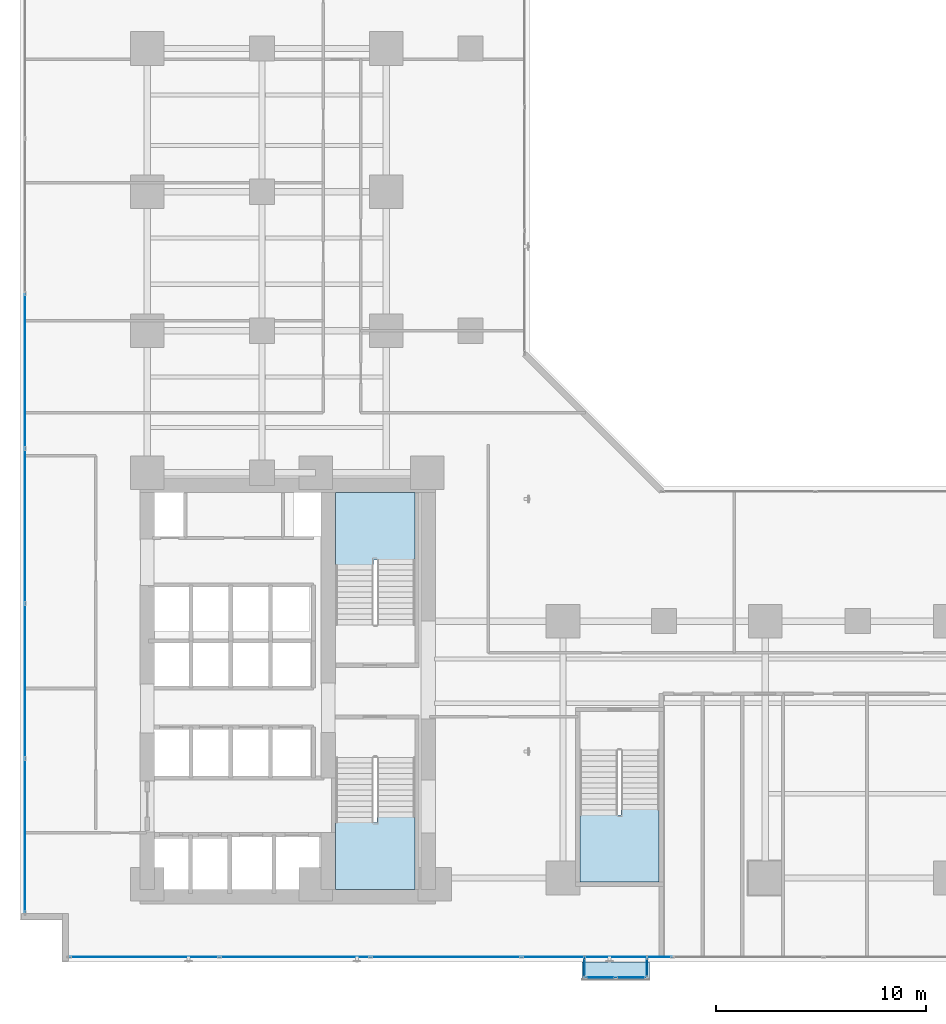
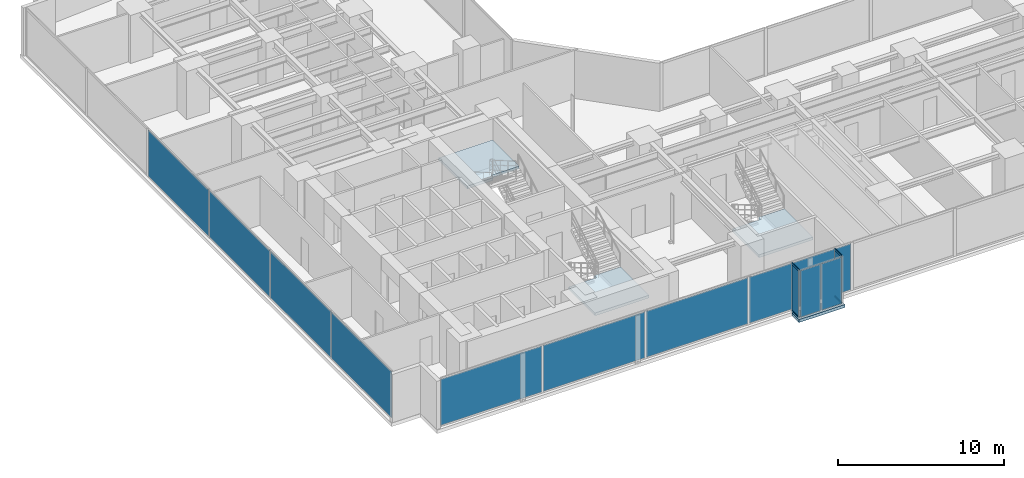
# One storey, part 20 of 27: 12 plates, 4 members, 4 slabs, 8 elements without a shape of their own.
"""IFC4 building model written with IfcOpenShell, lengths in metres."""

from ifc_helpers import new_model, si_unit, direction, frame, origin, origin_with_axes, origin_2d, place, context, subcontext, project, spatial, polyline, rectangle, hollow_rectangle, outline, extrude, source, transform, mapped, material, layer, layer_set, material_profile, profile_set, type_object, element, aggregate, save


model = new_model("IFC4")

# Units and contexts
model_context = context("Model", 3, precision=1e-05, world=origin(), true_north=direction((0.0, 1.0)))
body_context = subcontext(model_context, "Body", "Model", "MODEL_VIEW")
ifc_project = project(units=[si_unit("LENGTHUNIT", "METRE"), si_unit("AREAUNIT", "SQUARE_METRE"), si_unit("VOLUMEUNIT", "CUBIC_METRE"), si_unit("PLANEANGLEUNIT", "RADIAN"), si_unit("MASSUNIT", "GRAM", prefix="KILO")], contexts=[model_context])

# Site, building, storey
site_placement = place(None, origin())
site = spatial("IfcSite", under=ifc_project, at=site_placement, CompositionType="ELEMENT")
building_placement = place(site_placement, origin())
building = spatial("IfcBuilding", under=site, at=building_placement, Name="Kolvaren Waterfront Exchange", CompositionType="ELEMENT")
storey_placement = place(building_placement, frame((0.0, 0.0, 63.800048828125)))
storey = spatial("IfcBuildingStorey", under=building, at=storey_placement, Name="L16", CompositionType="ELEMENT", Elevation=63.800048828125)

# Curtain wall, members
ifc_material_1 = material(Name="Anodised bronze aluminium 6063-T6", Category="aluminium")
ifc_layer_1 = layer(ifc_material_1, 0.219970703125, Name="Anodised bronze aluminium 6063-T6")
ifc_layer_set_1 = layer_set([ifc_layer_1], Name="Anodised bronze aluminium 6063-T6")
curtain_wall_type_1 = type_object("IfcCurtainWallType", Name="ARC-CW-SYS3", PredefinedType="USERDEFINED", material=ifc_layer_set_1)
curtain_wall_1_placement = place(storey_placement, origin())
curtain_wall_1 = element("IfcCurtainWall", 1, at=curtain_wall_1_placement, inside=storey, type_object=curtain_wall_type_1, Name="L16 stick curtain wall CW3 (CW-L16-BOX-W)", ObjectType="STICK CURTAIN WALL", PredefinedType="USERDEFINED")
ifc_material_profile = material_profile(ifc_material_1, hollow_rectangle(XDim=0.06494140625, YDim=0.1298828125, WallThickness=0.00390625, at=origin_2d()), Name="ALU-TRN-130x65x4")
ifc_profile_set = profile_set([ifc_material_profile], Name="Anodised bronze aluminium 6063-T6")
member_type = type_object("IfcMemberType", Name="ARC-CWT-130", PredefinedType="USERDEFINED", material=ifc_profile_set)
shared_shape_1 = source(origin_with_axes(), body_context, "Body", "SweptSolid", [
    extrude(hollow_rectangle(XDim=0.06494140625, YDim=0.1298828125, WallThickness=0.00390625, at=origin_2d()), origin(), (0.0, 0.0, 1.0), 0.830078125),
])
member_1_placement = place(storey_placement, frame((28.2099609375, 1.364990234375, 0.032470703125), z_axis=(0.0, -1.0, 0.0), x_axis=(1.0, 0.0, 0.0)))
member_1 = element("IfcMember", 2, at=member_1_placement, type_object=member_type, Name="CW3 transom 1.1", ObjectType="TRANSOM", PredefinedType="USERDEFINED", context=body_context, shape_type="MappedRepresentation", body=[
    mapped(shared_shape_1, transform((0.0, 0.0, 0.0), x_axis=(1.0, 0.0, 0.0), y_axis=(0.0, 1.0, 0.0), z_axis=(0.0, 0.0, 1.0), scale=1.0)),
])
member_2_placement = place(storey_placement, frame((28.2099609375, 1.364990234375, 3.507568359375), z_axis=(0.0, -1.0, 0.0), x_axis=(1.0, 0.0, 0.0)))
member_2 = element("IfcMember", 3, at=member_2_placement, type_object=member_type, Name="CW3 transom 1.2", ObjectType="TRANSOM", PredefinedType="USERDEFINED", context=body_context, shape_type="MappedRepresentation", body=[
    mapped(shared_shape_1, transform((0.0, 0.0, 0.0), x_axis=(1.0, 0.0, 0.0), y_axis=(0.0, 1.0, 0.0), z_axis=(0.0, 0.0, 1.0), scale=1.0)),
])

curtain_wall_2_placement = place(storey_placement, origin())
curtain_wall_2 = element("IfcCurtainWall", 4, at=curtain_wall_2_placement, inside=storey, type_object=curtain_wall_type_1, Name="L16 stick curtain wall CW3 (CW-L16-BOX-E)", ObjectType="STICK CURTAIN WALL", PredefinedType="USERDEFINED")
member_3_placement = place(storey_placement, frame((31.18994140625, 0.534912109375, 0.032470703125), z_axis=(0.0, 1.0, 0.0), x_axis=(-1.0, 0.0, 0.0)))
member_3 = element("IfcMember", 5, at=member_3_placement, type_object=member_type, Name="CW3 transom 1.1", ObjectType="TRANSOM", PredefinedType="USERDEFINED", context=body_context, shape_type="MappedRepresentation", body=[
    mapped(shared_shape_1, transform((0.0, 0.0, 0.0), x_axis=(1.0, 0.0, 0.0), y_axis=(0.0, 1.0, 0.0), z_axis=(0.0, 0.0, 1.0), scale=1.0)),
])
member_4_placement = place(storey_placement, frame((31.18994140625, 0.534912109375, 3.507568359375), z_axis=(0.0, 1.0, 0.0), x_axis=(-1.0, 0.0, 0.0)))
member_4 = element("IfcMember", 6, at=member_4_placement, type_object=member_type, Name="CW3 transom 1.2", ObjectType="TRANSOM", PredefinedType="USERDEFINED", context=body_context, shape_type="MappedRepresentation", body=[
    mapped(shared_shape_1, transform((0.0, 0.0, 0.0), x_axis=(1.0, 0.0, 0.0), y_axis=(0.0, 1.0, 0.0), z_axis=(0.0, 0.0, 1.0), scale=1.0)),
])

# Stair, slab
ifc_material_2 = material(Name="Concrete C40/50", Category="concrete")
stair_type = type_object("IfcStairType", Name="ARC-STAIR-3800", PredefinedType="HALF_TURN_STAIR", material=ifc_material_2)
stair_1_placement = place(storey_placement, origin())
stair_1 = element("IfcStair", 7, at=stair_1_placement, inside=storey, type_object=stair_type, Name="L16 Smoke-proof exit stair ST1", PredefinedType="HALF_TURN_STAIR")
ifc_layer_2 = layer(ifc_material_2, 0.199951171875, Name="Concrete C40/50")
ifc_layer_set_2 = layer_set([ifc_layer_2], Name="Concrete C40/50")
slab_type_1 = type_object("IfcSlabType", Name="STR-LANDING-200", PredefinedType="LANDING", material=ifc_layer_set_2)
slab_1_placement = place(storey_placement, frame((0.0, 0.0, 1.77587890625)))
slab_1 = element("IfcSlab", 8, at=slab_1_placement, type_object=slab_type_1, Name="ST1 landing 1", PredefinedType="LANDING", context=body_context, shape_type="SweptSolid", body=[
    extrude(outline(polyline([(16.39990234375, 7.840087890625), (16.39990234375, 4.64990234375), (20.159912109375, 4.64990234375), (20.159912109375, 8.10009765625), (18.360107421875, 8.10009765625), (18.360107421875, 7.840087890625), (16.39990234375, 7.840087890625)])), origin(), (0.0, 0.0, 1.0), 0.199951171875),
])
aggregate(stair_1, [slab_1])

stair_2_placement = place(storey_placement, origin())
stair_2 = element("IfcStair", 9, at=stair_2_placement, inside=storey, type_object=stair_type, Name="L16 Smoke-proof exit stair ST2", PredefinedType="HALF_TURN_STAIR")
slab_2_placement = place(storey_placement, frame((0.0, 0.0, 1.77587890625)))
slab_2 = element("IfcSlab", 10, at=slab_2_placement, type_object=slab_type_1, Name="ST2 landing 1", PredefinedType="LANDING", context=body_context, shape_type="SweptSolid", body=[
    extrude(outline(polyline([(20.159912109375, 20.31005859375), (20.159912109375, 23.5), (16.39990234375, 23.5), (16.39990234375, 20.050048828125), (18.199951171875, 20.050048828125), (18.199951171875, 20.31005859375), (20.159912109375, 20.31005859375)])), origin(), (0.0, 0.0, 1.0), 0.199951171875),
])
aggregate(stair_2, [slab_2])

stair_3_placement = place(storey_placement, origin())
stair_3 = element("IfcStair", 11, at=stair_3_placement, inside=storey, type_object=stair_type, Name="L16 Exit stair ST3", PredefinedType="HALF_TURN_STAIR")
slab_3_placement = place(storey_placement, frame((0.0, 0.0, 1.77587890625)))
slab_3 = element("IfcSlab", 12, at=slab_3_placement, type_object=slab_type_1, Name="ST3 landing 1", PredefinedType="LANDING", context=body_context, shape_type="SweptSolid", body=[
    extrude(outline(polyline([(28.0, 8.18994140625), (28.0, 5.0), (31.760009765625, 5.0), (31.760009765625, 8.449951171875), (29.9599609375, 8.449951171875), (29.9599609375, 8.18994140625), (28.0, 8.18994140625)])), origin(), (0.0, 0.0, 1.0), 0.199951171875),
])
aggregate(stair_3, [slab_3])

# Slab
ifc_layer_3 = layer(ifc_material_2, 0.219970703125, Name="Concrete C40/50")
ifc_layer_set_3 = layer_set([ifc_layer_3], Name="Concrete C40/50")
slab_type_2 = type_object("IfcSlabType", Name="STR-TERR-220", PredefinedType="FLOOR", material=ifc_layer_set_3)
slab_4_placement = place(storey_placement, frame((0.0, 0.0, -0.219970703125)))
element("IfcSlab", 13, at=slab_4_placement, inside=storey, type_object=slab_type_2, Name="L16 projecting bay-box floor strip", PredefinedType="FLOOR", context=body_context, shape_type="SweptSolid", body=[
    extrude(outline(polyline([(28.10009765625, 0.35009765625), (31.300048828125, 0.35009765625), (31.300048828125, 1.199951171875), (28.10009765625, 1.199951171875), (28.10009765625, 0.35009765625)])), origin(), (0.0, 0.0, 1.0), 0.219970703125),
])

# Curtain wall, plates
ifc_layer_4 = layer(ifc_material_1, 0.219970703125, Name="Anodised bronze aluminium 6063-T6")
ifc_layer_set_4 = layer_set([ifc_layer_4], Name="Anodised bronze aluminium 6063-T6")
curtain_wall_type_2 = type_object("IfcCurtainWallType", Name="ARC-CW-SYS1", PredefinedType="USERDEFINED", material=ifc_layer_set_4)
curtain_wall_3_placement = place(storey_placement, origin())
curtain_wall_3 = element("IfcCurtainWall", 14, at=curtain_wall_3_placement, inside=storey, type_object=curtain_wall_type_2, Name="L16 stick curtain wall CW1 (CW-L16-S)", ObjectType="STICK CURTAIN WALL", PredefinedType="USERDEFINED")
ifc_material_3 = material(Name="Bronze solar control vision glass", Category="aluminium")
ifc_layer_5 = layer(ifc_material_3, 0.028076171875, Name="Bronze solar control vision glass")
ifc_layer_set_5 = layer_set([ifc_layer_5], Name="Bronze solar control vision glass")
plate_type_1 = type_object("IfcPlateType", Name="ARC-CWP-28", PredefinedType="CURTAIN_PANEL", material=ifc_layer_set_5)
shared_shape_2 = source(origin_with_axes(), body_context, "Body", "SweptSolid", [
    extrude(rectangle(XDim=7.054931640625, YDim=0.028076171875, at=origin_2d()), origin(), (0.0, 0.0, 1.0), 3.389892578125),
])
plate_1_placement = place(storey_placement, frame((7.3076171875, 1.43994140625, 0.0751953125), z_axis=(0.0, 0.0, 1.0), x_axis=(1.0, 0.0, 0.0)))
plate_1 = element("IfcPlate", 15, at=plate_1_placement, type_object=plate_type_1, Name="CW1 panel 1.1", PredefinedType="CURTAIN_PANEL", context=body_context, shape_type="MappedRepresentation", body=[
    mapped(shared_shape_2, transform((0.0, 0.0, 0.0), x_axis=(1.0, 0.0, 0.0), y_axis=(0.0, 1.0, 0.0), z_axis=(0.0, 0.0, 1.0), scale=1.0)),
])
shared_shape_3 = source(origin_with_axes(), body_context, "Body", "SweptSolid", [
    extrude(rectangle(XDim=7.094970703125, YDim=0.028076171875, at=origin_2d()), origin(), (0.0, 0.0, 1.0), 3.389892578125),
])
plate_2_placement = place(storey_placement, frame((14.46240234375, 1.43994140625, 0.0751953125), z_axis=(0.0, 0.0, 1.0), x_axis=(1.0, 0.0, 0.0)))
plate_2 = element("IfcPlate", 16, at=plate_2_placement, type_object=plate_type_1, Name="CW1 panel 2.1", PredefinedType="CURTAIN_PANEL", context=body_context, shape_type="MappedRepresentation", body=[
    mapped(shared_shape_3, transform((0.0, 0.0, 0.0), x_axis=(1.0, 0.0, 0.0), y_axis=(0.0, 1.0, 0.0), z_axis=(0.0, 0.0, 1.0), scale=1.0)),
])
plate_3_placement = place(storey_placement, frame((21.637451171875, 1.43994140625, 0.0751953125), z_axis=(0.0, 0.0, 1.0), x_axis=(1.0, 0.0, 0.0)))
plate_3 = element("IfcPlate", 17, at=plate_3_placement, type_object=plate_type_1, Name="CW1 panel 3.1", PredefinedType="CURTAIN_PANEL", context=body_context, shape_type="MappedRepresentation", body=[
    mapped(shared_shape_3, transform((0.0, 0.0, 0.0), x_axis=(1.0, 0.0, 0.0), y_axis=(0.0, 1.0, 0.0), z_axis=(0.0, 0.0, 1.0), scale=1.0)),
])
plate_4_placement = place(storey_placement, frame((28.8125, 1.43994140625, 0.0751953125), z_axis=(0.0, 0.0, 1.0), x_axis=(1.0, 0.0, 0.0)))
plate_4 = element("IfcPlate", 18, at=plate_4_placement, type_object=plate_type_1, Name="CW1 panel 4.1", PredefinedType="CURTAIN_PANEL", context=body_context, shape_type="MappedRepresentation", body=[
    mapped(shared_shape_3, transform((0.0, 0.0, 0.0), x_axis=(1.0, 0.0, 0.0), y_axis=(0.0, 1.0, 0.0), z_axis=(0.0, 0.0, 1.0), scale=1.0)),
])
aggregate(curtain_wall_3, [plate_1, plate_2, plate_3, plate_4])

ifc_material_4 = material(Name="Anodised aluminium 6063-T6", Category="aluminium")
ifc_layer_6 = layer(ifc_material_4, 0.219970703125, Name="Anodised aluminium 6063-T6")
ifc_layer_set_6 = layer_set([ifc_layer_6], Name="Anodised aluminium 6063-T6")
curtain_wall_type_3 = type_object("IfcCurtainWallType", Name="ARC-CW-SYS2", PredefinedType="USERDEFINED", material=ifc_layer_set_6)
curtain_wall_4_placement = place(storey_placement, origin())
curtain_wall_4 = element("IfcCurtainWall", 19, at=curtain_wall_4_placement, inside=storey, type_object=curtain_wall_type_3, Name="L16 stick curtain wall CW2 (CW-L16-W)", ObjectType="STICK CURTAIN WALL", PredefinedType="USERDEFINED")
ifc_material_5 = material(Name="Acoustic laminated vision glass", Category="glass")
ifc_layer_7 = layer(ifc_material_5, 0.031982421875, Name="Acoustic laminated vision glass")
ifc_layer_set_7 = layer_set([ifc_layer_7], Name="Acoustic laminated vision glass")
plate_type_2 = type_object("IfcPlateType", Name="ARC-CWP-32", PredefinedType="CURTAIN_PANEL", material=ifc_layer_set_7)
shared_shape_4 = source(origin_with_axes(), body_context, "Body", "SweptSolid", [
    extrude(rectangle(XDim=7.24658203125, YDim=0.031982421875, at=origin_2d()), origin(), (0.0, 0.0, 1.0), 3.389892578125),
])
plate_5_placement = place(storey_placement, frame((1.639892578125, 7.203369140625, 0.0751953125), z_axis=(0.0, 0.0, 1.0), x_axis=(0.0, 1.0, 0.0)))
plate_5 = element("IfcPlate", 20, at=plate_5_placement, type_object=plate_type_2, Name="CW2 panel 1.1", PredefinedType="CURTAIN_PANEL", context=body_context, shape_type="MappedRepresentation", body=[
    mapped(shared_shape_4, transform((0.0, 0.0, 0.0), x_axis=(1.0, 0.0, 0.0), y_axis=(0.0, 1.0, 0.0), z_axis=(0.0, 0.0, 1.0), scale=1.0)),
])
shared_shape_5 = source(origin_with_axes(), body_context, "Body", "SweptSolid", [
    extrude(rectangle(XDim=7.28662109375, YDim=0.031982421875, at=origin_2d()), origin(), (0.0, 0.0, 1.0), 3.389892578125),
])
plate_6_placement = place(storey_placement, frame((1.639892578125, 14.550048828125, 0.0751953125), z_axis=(0.0, 0.0, 1.0), x_axis=(0.0, 1.0, 0.0)))
plate_6 = element("IfcPlate", 21, at=plate_6_placement, type_object=plate_type_2, Name="CW2 panel 2.1", PredefinedType="CURTAIN_PANEL", context=body_context, shape_type="MappedRepresentation", body=[
    mapped(shared_shape_5, transform((0.0, 0.0, 0.0), x_axis=(1.0, 0.0, 0.0), y_axis=(0.0, 1.0, 0.0), z_axis=(0.0, 0.0, 1.0), scale=1.0)),
])
plate_7_placement = place(storey_placement, frame((1.639892578125, 21.916748046875, 0.0751953125), z_axis=(0.0, 0.0, 1.0), x_axis=(0.0, 1.0, 0.0)))
plate_7 = element("IfcPlate", 22, at=plate_7_placement, type_object=plate_type_2, Name="CW2 panel 3.1", PredefinedType="CURTAIN_PANEL", context=body_context, shape_type="MappedRepresentation", body=[
    mapped(shared_shape_5, transform((0.0, 0.0, 0.0), x_axis=(1.0, 0.0, 0.0), y_axis=(0.0, 1.0, 0.0), z_axis=(0.0, 0.0, 1.0), scale=1.0)),
])
plate_8_placement = place(storey_placement, frame((1.639892578125, 29.283447265625, 0.0751953125), z_axis=(0.0, 0.0, 1.0), x_axis=(0.0, 1.0, 0.0)))
plate_8 = element("IfcPlate", 23, at=plate_8_placement, type_object=plate_type_2, Name="CW2 panel 4.1", PredefinedType="CURTAIN_PANEL", context=body_context, shape_type="MappedRepresentation", body=[
    mapped(shared_shape_5, transform((0.0, 0.0, 0.0), x_axis=(1.0, 0.0, 0.0), y_axis=(0.0, 1.0, 0.0), z_axis=(0.0, 0.0, 1.0), scale=1.0)),
])
aggregate(curtain_wall_4, [plate_5, plate_6, plate_7, plate_8])

# Plate
ifc_material_6 = material(Name="Bronze tinted bay-box vision glass", Category="aluminium")
ifc_layer_8 = layer(ifc_material_6, 0.02392578125, Name="Bronze tinted bay-box vision glass")
ifc_layer_set_8 = layer_set([ifc_layer_8], Name="Bronze tinted bay-box vision glass")
plate_type_3 = type_object("IfcPlateType", Name="ARC-CWP-24", PredefinedType="CURTAIN_PANEL", material=ifc_layer_set_8)
shared_shape_6 = source(origin_with_axes(), body_context, "Body", "SweptSolid", [
    extrude(rectangle(XDim=0.830078125, YDim=0.02392578125, at=origin_2d()), origin(), (0.0, 0.0, 1.0), 3.409912109375),
])
plate_9_placement = place(storey_placement, frame((28.2099609375, 0.949951171875, 0.06494140625), z_axis=(0.0, 0.0, 1.0), x_axis=(0.0, -1.0, 0.0)))
plate_9 = element("IfcPlate", 24, at=plate_9_placement, type_object=plate_type_3, Name="CW3 panel 1.1", PredefinedType="CURTAIN_PANEL", context=body_context, shape_type="MappedRepresentation", body=[
    mapped(shared_shape_6, transform((0.0, 0.0, 0.0), x_axis=(1.0, 0.0, 0.0), y_axis=(0.0, 1.0, 0.0), z_axis=(0.0, 0.0, 1.0), scale=1.0)),
])

aggregate(curtain_wall_1, [member_1, member_2, plate_9])

plate_10_placement = place(storey_placement, frame((31.18994140625, 0.949951171875, 0.06494140625), z_axis=(0.0, 0.0, 1.0), x_axis=(0.0, 1.0, 0.0)))
plate_10 = element("IfcPlate", 25, at=plate_10_placement, type_object=plate_type_3, Name="CW3 panel 1.1", PredefinedType="CURTAIN_PANEL", context=body_context, shape_type="MappedRepresentation", body=[
    mapped(shared_shape_6, transform((0.0, 0.0, 0.0), x_axis=(1.0, 0.0, 0.0), y_axis=(0.0, 1.0, 0.0), z_axis=(0.0, 0.0, 1.0), scale=1.0)),
])

aggregate(curtain_wall_2, [member_3, member_4, plate_10])

# Curtain wall, plates
curtain_wall_5_placement = place(storey_placement, origin())
curtain_wall_5 = element("IfcCurtainWall", 26, at=curtain_wall_5_placement, inside=storey, type_object=curtain_wall_type_1, Name="L16 stick curtain wall CW3 (CW-L16-BOX)", ObjectType="STICK CURTAIN WALL", PredefinedType="USERDEFINED")
shared_shape_7 = source(origin_with_axes(), body_context, "Body", "SweptSolid", [
    extrude(rectangle(XDim=1.37744140625, YDim=0.02392578125, at=origin_2d()), origin(), (0.0, 0.0, 1.0), 3.409912109375),
])
plate_11_placement = place(storey_placement, frame((28.9736328125, 0.4599609375, 0.06494140625), z_axis=(0.0, 0.0, 1.0), x_axis=(1.0, 0.0, 0.0)))
plate_11 = element("IfcPlate", 27, at=plate_11_placement, type_object=plate_type_3, Name="CW3 panel 1.1", PredefinedType="CURTAIN_PANEL", context=body_context, shape_type="MappedRepresentation", body=[
    mapped(shared_shape_7, transform((0.0, 0.0, 0.0), x_axis=(1.0, 0.0, 0.0), y_axis=(0.0, 1.0, 0.0), z_axis=(0.0, 0.0, 1.0), scale=1.0)),
])
plate_12_placement = place(storey_placement, frame((30.42626953125, 0.4599609375, 0.06494140625), z_axis=(0.0, 0.0, 1.0), x_axis=(1.0, 0.0, 0.0)))
plate_12 = element("IfcPlate", 28, at=plate_12_placement, type_object=plate_type_3, Name="CW3 panel 2.1", PredefinedType="CURTAIN_PANEL", context=body_context, shape_type="MappedRepresentation", body=[
    mapped(shared_shape_7, transform((0.0, 0.0, 0.0), x_axis=(1.0, 0.0, 0.0), y_axis=(0.0, 1.0, 0.0), z_axis=(0.0, 0.0, 1.0), scale=1.0)),
])
aggregate(curtain_wall_5, [plate_11, plate_12])

save(model, "model.ifc")
